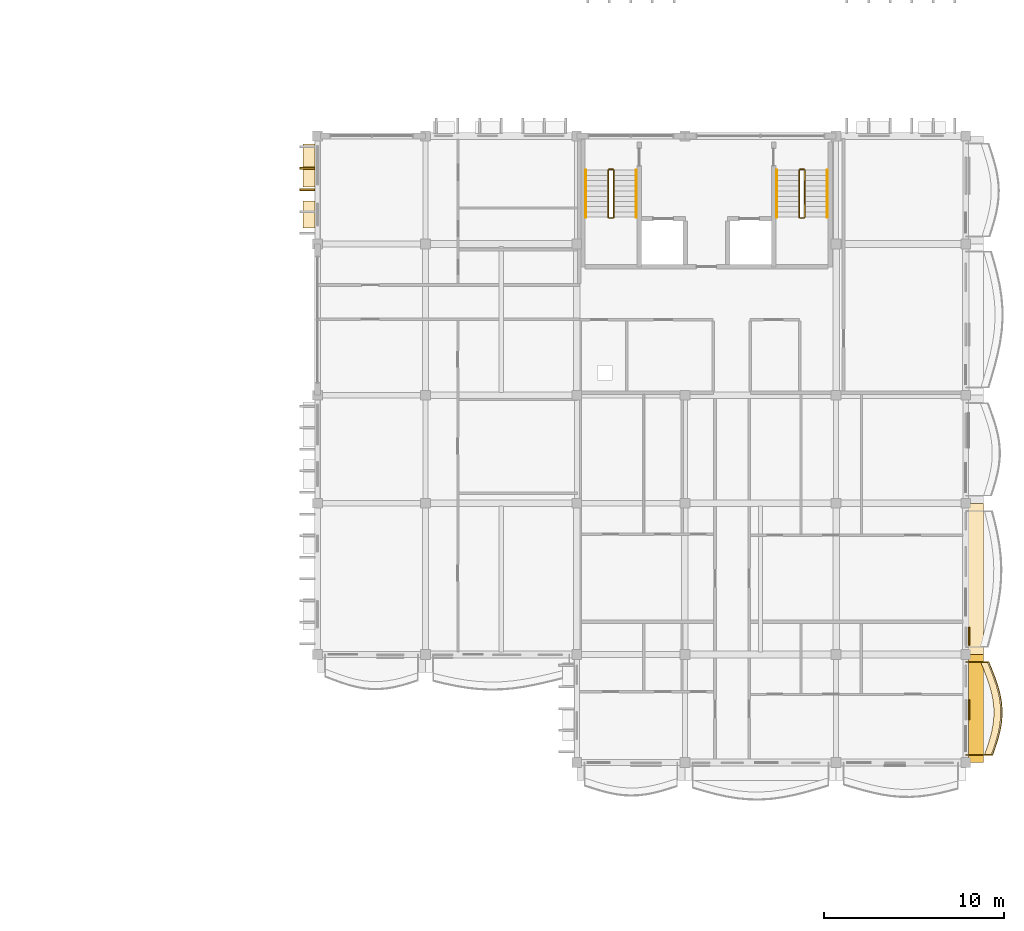
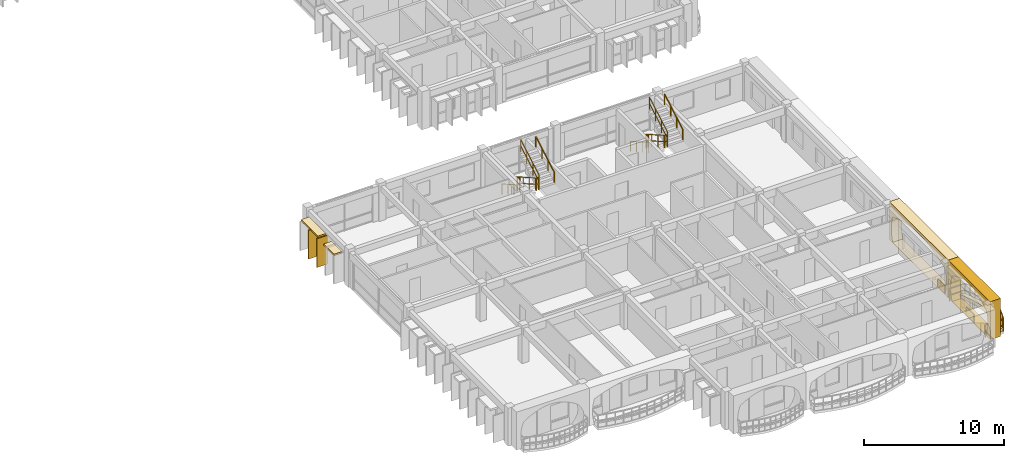
# One storey, part 71 of 79: 13 railings, 9 coverings.
"""IFC4 building model written with IfcOpenShell, lengths in metres."""

from ifc_helpers import new_model, si_unit, direction, frame, origin, origin_2d, place, context, subcontext, project, spatial, polyline, rectangle, outline, extrude, material, layer, layer_set, type_object, element, save


model = new_model("IFC4")

# Units and contexts
model_context = context("Model", 3, precision=1e-05, world=origin(), true_north=direction((0.0, 1.0)))
body_context = subcontext(model_context, "Body", "Model", "MODEL_VIEW")
ifc_project = project(units=[si_unit("LENGTHUNIT", "METRE"), si_unit("AREAUNIT", "SQUARE_METRE"), si_unit("VOLUMEUNIT", "CUBIC_METRE"), si_unit("PLANEANGLEUNIT", "RADIAN"), si_unit("MASSUNIT", "GRAM", prefix="KILO"), si_unit("THERMODYNAMICTEMPERATUREUNIT", "KELVIN")], contexts=[model_context])

# Site, building, storey
site_placement = place(None, origin())
site = spatial("IfcSite", under=ifc_project, at=site_placement, CompositionType="ELEMENT")
building_placement = place(site_placement, origin())
building = spatial("IfcBuilding", under=site, at=building_placement, Name="Thalorik Housing Commons", CompositionType="ELEMENT")
storey_placement = place(building_placement, frame((0.0, 0.0, 11.39990234375)))
storey = spatial("IfcBuildingStorey", under=building, at=storey_placement, Name="L03", CompositionType="ELEMENT", Elevation=11.39990234375)

# Coverings
ifc_material_1 = material(Name="Cobalt blue glazed ceramic facade tile panel", Category="masonry")
ifc_layer_1 = layer(ifc_material_1, 0.06005859375, Name="Cobalt blue glazed ceramic facade tile panel", Category="masonry")
ifc_layer_set_1 = layer_set([ifc_layer_1], Name="Cobalt blue glazed ceramic facade tile panel")
covering_type_1 = type_object("IfcCoveringType", Name="ARC-CLD-BLU-60", PredefinedType="CLADDING", material=ifc_layer_set_1)
covering_1_placement = place(storey_placement, frame((174.179931640625, 40.12744140625, 0.05029296875), z_axis=(0.0, 0.0, 1.0), x_axis=(0.0, 1.0, 0.0)))
element("IfcCovering", 1, at=covering_1_placement, inside=storey, type_object=covering_type_1, Name="L03 De Stijl Recessed Window Spandrel 4741", PredefinedType="CLADDING", context=body_context, shape_type="SweptSolid", body=[
    extrude(rectangle(XDim=1.10009765625, YDim=0.06005859375, at=origin_2d()), origin(), (0.0, 0.0, 1.0), 0.699951171875),
])
ifc_material_2 = material(Name="Precast concrete C40/50", Category="concrete")
ifc_layer_2 = layer(ifc_material_2, 0.85009765625, Name="Precast concrete C40/50", Category="concrete")
ifc_layer_set_2 = layer_set([ifc_layer_2], Name="Precast concrete C40/50")
covering_type_2 = type_object("IfcCoveringType", Name="ARC-CLD-CUSH-850", PredefinedType="CLADDING", material=ifc_layer_set_2)
covering_2_placement = place(storey_placement, frame((174.570068359375, 40.199951171875, 0.0), z_axis=(0.0, 0.0, 1.0), x_axis=(0.0, 1.0, 0.0)))
element("IfcCovering", 2, at=covering_2_placement, inside=storey, type_object=covering_type_2, Name="L03 White Precast Curved Cushion Bay Frame 4740", PredefinedType="CLADDING", context=body_context, shape_type="SweptSolid", body=[
    extrude(outline(polyline([(-3.0, 0.0), (3.0, 0.0), (3.0, 3.300048828125), (-3.0, 3.300048828125), (-3.0, 0.0)]), holes=[polyline([(2.447509765625, 0.02490234375), (2.564208984375, 0.394287109375), (2.634033203125, 0.76318359375), (2.657470703125, 1.132568359375), (2.634033203125, 1.501708984375), (2.564208984375, 1.870849609375), (2.447509765625, 2.239990234375), (2.041015625, 2.4833984375), (1.634521484375, 2.6748046875), (1.22802734375, 2.82958984375), (0.821533203125, 2.94482421875), (0.415283203125, 3.01611328125), (0.0087890625, 3.0400390625), (-0.397705078125, 3.01611328125), (-0.80419921875, 2.94482421875), (-1.210693359375, 2.82958984375), (-1.6171875, 2.6748046875), (-2.0234375, 2.4833984375), (-2.429931640625, 2.239990234375), (-2.55029296875, 1.870849609375), (-2.62255859375, 1.501708984375), (-2.646484375, 1.132568359375), (-2.62255859375, 0.76318359375), (-2.55029296875, 0.394287109375), (-2.429931640625, 0.02490234375), (2.447509765625, 0.02490234375)])]), frame((0.0, 0.425048828125, 0.0), z_axis=(0.0, -1.0, 0.0), x_axis=(1.0, 0.0, 0.0)), (0.0, 0.0, 1.0), 0.85009765625),
])
covering_3_placement = place(storey_placement, frame((174.570068359375, 47.39990234375, 0.0), z_axis=(0.0, 0.0, 1.0), x_axis=(0.0, 1.0, 0.0)))
element("IfcCovering", 3, at=covering_3_placement, inside=storey, type_object=covering_type_2, Name="L03 White Precast Curved Cushion Bay Frame 4742", PredefinedType="CLADDING", context=body_context, shape_type="SweptSolid", body=[
    extrude(outline(polyline([(-4.199951171875, 0.0), (4.199951171875, 0.0), (4.199951171875, 3.300048828125), (-4.199951171875, 3.300048828125), (-4.199951171875, 0.0)]), holes=[polyline([(3.742919921875, 0.02490234375), (3.83935546875, 0.394287109375), (3.897216796875, 0.76318359375), (3.91650390625, 1.132568359375), (3.897216796875, 1.501708984375), (3.83935546875, 1.870849609375), (3.742919921875, 2.239990234375), (3.118896484375, 2.4833984375), (2.494873046875, 2.6748046875), (1.870849609375, 2.82958984375), (1.246826171875, 2.94482421875), (0.622802734375, 3.01611328125), (-0.001220703125, 3.0400390625), (-0.625, 3.01611328125), (-1.2490234375, 2.94482421875), (-1.873046875, 2.82958984375), (-2.4970703125, 2.6748046875), (-3.12109375, 2.4833984375), (-3.7451171875, 2.239990234375), (-3.841064453125, 1.870849609375), (-3.898681640625, 1.501708984375), (-3.91796875, 1.132568359375), (-3.898681640625, 0.76318359375), (-3.841064453125, 0.394287109375), (-3.7451171875, 0.02490234375), (3.742919921875, 0.02490234375)])]), frame((0.0, 0.425048828125, 0.0), z_axis=(0.0, -1.0, 0.0), x_axis=(1.0, 0.0, 0.0)), (0.0, 0.0, 1.0), 0.85009765625),
])
ifc_layer_3 = layer(ifc_material_2, 0.85009765625, Name="Precast concrete C40/50", Category="concrete")
ifc_layer_set_3 = layer_set([ifc_layer_3], Name="Precast concrete C40/50")
covering_type_3 = type_object("IfcCoveringType", Name="ARC-CLD-FIN-850", PredefinedType="CLADDING", material=ifc_layer_set_3)
for number, where, z_axis, x_axis, name in (
    (4, (137.429931640625, 70.199951171875, 0.0400390625), (0.0, 0.0, 1.0), (0.0, -1.0, 0.0), "L03 Courtyard Precast Vertical Brise-Soleil Fin 4701"),
    (5, (137.429931640625, 69.0, 0.0400390625), (0.0, 0.0, 1.0), (0.0, -1.0, 0.0), "L03 Courtyard Precast Vertical Brise-Soleil Fin 4702"),
):
    element("IfcCovering", number, at=place(storey_placement, frame(where, z_axis=z_axis, x_axis=x_axis)), inside=storey, type_object=covering_type_3, Name=name, PredefinedType="CLADDING", context=body_context, shape_type="SweptSolid", body=[
        extrude(rectangle(XDim=0.110107421875, YDim=0.85009765625, at=origin_2d()), origin(), (0.0, 0.0, 1.0), 2.4951171875),
    ])
ifc_layer_4 = layer(ifc_material_2, 0.64990234375, Name="Precast concrete C40/50", Category="concrete")
ifc_layer_set_4 = layer_set([ifc_layer_4], Name="Precast concrete C40/50")
covering_type_4 = type_object("IfcCoveringType", Name="ARC-CLD-HOOD-650", PredefinedType="CLADDING", material=ifc_layer_set_4)
covering_4_placement = place(storey_placement, frame((137.530029296875, 70.3701171875, 2.42529296875), z_axis=(0.0, 0.0, 1.0), x_axis=(0.0, -1.0, 0.0)))
element("IfcCovering", 6, at=covering_4_placement, inside=storey, type_object=covering_type_4, Name="L03 Courtyard Precast Window Sun-Hood 4705", PredefinedType="CLADDING", context=body_context, shape_type="SweptSolid", body=[
    extrude(rectangle(XDim=2.389892578125, YDim=0.64990234375, at=origin_2d()), origin(), (0.0, 0.0, 1.0), 0.139892578125),
])
covering_5_placement = place(storey_placement, frame((137.530029296875, 67.6298828125, 2.240234375), z_axis=(0.0, 0.0, 1.0), x_axis=(0.0, -1.0, 0.0)))
element("IfcCovering", 7, at=covering_5_placement, inside=storey, type_object=covering_type_4, Name="L03 Courtyard Precast Window Sun-Hood 4706", PredefinedType="CLADDING", context=body_context, shape_type="SweptSolid", body=[
    extrude(rectangle(XDim=1.489990234375, YDim=0.64990234375, at=origin_2d()), origin(), (0.0, 0.0, 1.0), 0.139892578125),
])
ifc_material_3 = material(Name="Mineral ochre architectural terracotta panel", Category="masonry")
ifc_layer_5 = layer(ifc_material_3, 0.06494140625, Name="Mineral ochre architectural terracotta panel", Category="masonry")
ifc_layer_set_5 = layer_set([ifc_layer_5], Name="Mineral ochre architectural terracotta panel")
covering_type_5 = type_object("IfcCoveringType", Name="ARC-CLD-YEL-65", PredefinedType="CLADDING", material=ifc_layer_set_5)
covering_6_placement = place(storey_placement, frame((174.1826171875, 44.205078125, 0.05029296875), z_axis=(0.0, 0.0, 1.0), x_axis=(0.0, 1.0, 0.0)))
element("IfcCovering", 8, at=covering_6_placement, inside=storey, type_object=covering_type_5, Name="L03 De Stijl Recessed Window Spandrel 4743", PredefinedType="CLADDING", context=body_context, shape_type="SweptSolid", body=[
    extrude(rectangle(XDim=1.0, YDim=0.06494140625, at=origin_2d()), origin(), (0.0, 0.0, 1.0), 0.699951171875),
])
ifc_material_4 = material(Name="Planted vegetated substrate and terracotta trough", Category="masonry")
ifc_layer_6 = layer(ifc_material_4, 0.340087890625, Name="Planted vegetated substrate and terracotta trough", Category="masonry")
ifc_layer_set_6 = layer_set([ifc_layer_6], Name="Planted vegetated substrate and terracotta trough")
covering_type_6 = type_object("IfcCoveringType", Name="ARC-COV-PLANTER", PredefinedType="USERDEFINED", material=ifc_layer_set_6)
covering_7_placement = place(storey_placement, origin())
element("IfcCovering", 9, at=covering_7_placement, inside=storey, type_object=covering_type_6, Name="L03 Balcony Slab-Edge Planted Trough 5655", ObjectType="PLANTER", PredefinedType="USERDEFINED", context=body_context, shape_type="SweptSolid", body=[
    extrude(outline(polyline([(175.416015625, 37.6201171875), (175.568359375, 38.050048828125), (175.705810546875, 38.47998046875), (175.819091796875, 38.909912109375), (175.89990234375, 39.340087890625), (175.94189453125, 39.77001953125), (175.94189453125, 40.199951171875), (175.89892578125, 40.6298828125), (175.8154296875, 41.06005859375), (175.696533203125, 41.489990234375), (175.549072265625, 41.919921875), (175.3828125, 42.35009765625), (175.20849609375, 42.780029296875), (174.82861328125, 42.780029296875), (175.0029296875, 42.35009765625), (175.169189453125, 41.919921875), (175.31640625, 41.489990234375), (175.435546875, 41.06005859375), (175.51904296875, 40.6298828125), (175.561767578125, 40.199951171875), (175.561767578125, 39.77001953125), (175.519775390625, 39.340087890625), (175.439208984375, 38.909912109375), (175.325927734375, 38.47998046875), (175.188232421875, 38.050048828125), (175.035888671875, 37.6201171875), (175.416015625, 37.6201171875)])), origin(), (0.0, 0.0, 1.0), 0.340087890625),
])

# Railings
ifc_material_5 = material(Name="Steel S355", Category="steel")
railing_type_1 = type_object("IfcRailingType", Name="ARC-RL-BAL-115", PredefinedType="BALUSTRADE", material=ifc_material_5)
railing_1_placement = place(storey_placement, frame((174.0, 37.6201171875, 0.0)))
element("IfcRailing", 10, at=railing_1_placement, inside=storey, type_object=railing_type_1, Name="L03 Cushion Balcony Guardrail 339", PredefinedType="BALUSTRADE", context=body_context, shape_type="SweptSolid", body=[
    extrude(rectangle(XDim=0.050048828125, YDim=0.050048828125, at=origin_2d()), frame((0.0, 0.0, 1.125), z_axis=(1.0, 0.0, 0.0), x_axis=(0.0, 1.0, 0.0)), (0.0, 0.0, 1.0), 1.486083984375),
    extrude(rectangle(XDim=0.050048828125, YDim=0.050048828125, at=origin_2d()), frame((0.0, 0.0, 0.5498046875), z_axis=(1.0, 0.0, 0.0), x_axis=(0.0, 1.0, 0.0)), (0.0, 0.0, 1.0), 1.486083984375),
    extrude(rectangle(XDim=0.050048828125, YDim=0.050048828125, at=origin_2d()), frame((1.486083984375, 0.0, 1.125), z_axis=(0.333520092889, 0.942742991297, 0.0), x_axis=(-0.942742991297, 0.333520092889, 0.0)), (0.0, 0.0, 1.0), 0.4560546875),
    extrude(rectangle(XDim=0.050048828125, YDim=0.050048828125, at=origin_2d()), frame((1.486083984375, 0.0, 0.5498046875), z_axis=(0.333520092889, 0.942742991297, 0.0), x_axis=(-0.942742991297, 0.333520092889, 0.0)), (0.0, 0.0, 1.0), 0.4560546875),
    extrude(rectangle(XDim=0.050048828125, YDim=0.050048828125, at=origin_2d()), frame((1.63818359375, 0.429931640625, 1.125), z_axis=(0.305011189479, 0.95234876715, 0.0), x_axis=(-0.95234876715, 0.305011189479, 0.0)), (0.0, 0.0, 1.0), 0.451416015625),
    extrude(rectangle(XDim=0.050048828125, YDim=0.050048828125, at=origin_2d()), frame((1.63818359375, 0.429931640625, 0.5498046875), z_axis=(0.305011189479, 0.95234876715, 0.0), x_axis=(-0.95234876715, 0.305011189479, 0.0)), (0.0, 0.0, 1.0), 0.451416015625),
    extrude(rectangle(XDim=0.050048828125, YDim=0.050048828125, at=origin_2d()), frame((1.77587890625, 0.85986328125, 1.125), z_axis=(0.254790607451, 0.9669962494, 0.0), x_axis=(-0.9669962494, 0.254790607451, 0.0)), (0.0, 0.0, 1.0), 0.444580078125),
    extrude(rectangle(XDim=0.050048828125, YDim=0.050048828125, at=origin_2d()), frame((1.77587890625, 0.85986328125, 0.5498046875), z_axis=(0.254790607451, 0.9669962494, 0.0), x_axis=(-0.9669962494, 0.254790607451, 0.0)), (0.0, 0.0, 1.0), 0.444580078125),
    extrude(rectangle(XDim=0.050048828125, YDim=0.050048828125, at=origin_2d()), frame((1.88916015625, 1.289794921875, 1.125), z_axis=(0.184086446548, 0.982910057023, 0.0), x_axis=(-0.982910057023, 0.184086446548, 0.0)), (0.0, 0.0, 1.0), 0.437744140625),
    extrude(rectangle(XDim=0.050048828125, YDim=0.050048828125, at=origin_2d()), frame((1.88916015625, 1.289794921875, 0.5498046875), z_axis=(0.184086446548, 0.982910057023, 0.0), x_axis=(-0.982910057023, 0.184086446548, 0.0)), (0.0, 0.0, 1.0), 0.437744140625),
    extrude(rectangle(XDim=0.050048828125, YDim=0.050048828125, at=origin_2d()), frame((1.9697265625, 1.719970703125, 1.125), z_axis=(0.097209200993, 0.995263970634, 0.0), x_axis=(-0.995263970634, 0.097209200993, 0.0)), (0.0, 0.0, 1.0), 0.431884765625),
    extrude(rectangle(XDim=0.050048828125, YDim=0.050048828125, at=origin_2d()), frame((1.9697265625, 1.719970703125, 0.5498046875), z_axis=(0.097209200993, 0.995263970634, 0.0), x_axis=(-0.995263970634, 0.097209200993, 0.0)), (0.0, 0.0, 1.0), 0.431884765625),
    extrude(rectangle(XDim=0.050048828125, YDim=0.050048828125, at=origin_2d()), frame((2.01171875, 2.14990234375, 1.125), z_axis=(0.0, 1.0, 0.0), x_axis=(-1.0, 0.0, 0.0)), (0.0, 0.0, 1.0), 0.429931640625),
    extrude(rectangle(XDim=0.050048828125, YDim=0.050048828125, at=origin_2d()), frame((2.01171875, 2.14990234375, 0.5498046875), z_axis=(0.0, 1.0, 0.0), x_axis=(-1.0, 0.0, 0.0)), (0.0, 0.0, 1.0), 0.429931640625),
    extrude(rectangle(XDim=0.050048828125, YDim=0.050048828125, at=origin_2d()), frame((2.01171875, 2.579833984375, 1.125), z_axis=(-0.098888270863, 0.995098542801, 0.0), x_axis=(-0.995098542801, -0.098888270863, 0.0)), (0.0, 0.0, 1.0), 0.43212890625),
    extrude(rectangle(XDim=0.050048828125, YDim=0.050048828125, at=origin_2d()), frame((2.01171875, 2.579833984375, 0.5498046875), z_axis=(-0.098888270863, 0.995098542801, 0.0), x_axis=(-0.995098542801, -0.098888270863, 0.0)), (0.0, 0.0, 1.0), 0.43212890625),
    extrude(rectangle(XDim=0.050048828125, YDim=0.050048828125, at=origin_2d()), frame((1.968994140625, 3.009765625, 1.125), z_axis=(-0.190541578419, 0.981679126239, 0.0), x_axis=(-0.981679126239, -0.190541578419, 0.0)), (0.0, 0.0, 1.0), 0.438232421875),
    extrude(rectangle(XDim=0.050048828125, YDim=0.050048828125, at=origin_2d()), frame((1.968994140625, 3.009765625, 0.5498046875), z_axis=(-0.190541578419, 0.981679126239, 0.0), x_axis=(-0.981679126239, -0.190541578419, 0.0)), (0.0, 0.0, 1.0), 0.438232421875),
    extrude(rectangle(XDim=0.050048828125, YDim=0.050048828125, at=origin_2d()), frame((1.885498046875, 3.43994140625, 1.125), z_axis=(-0.266542784561, 0.9638230875, 0.0), x_axis=(-0.9638230875, -0.266542784561, 0.0)), (0.0, 0.0, 1.0), 0.446044921875),
    extrude(rectangle(XDim=0.050048828125, YDim=0.050048828125, at=origin_2d()), frame((1.885498046875, 3.43994140625, 0.5498046875), z_axis=(-0.266542784561, 0.9638230875, 0.0), x_axis=(-0.9638230875, -0.266542784561, 0.0)), (0.0, 0.0, 1.0), 0.446044921875),
    extrude(rectangle(XDim=0.050048828125, YDim=0.050048828125, at=origin_2d()), frame((1.7666015625, 3.869873046875, 1.125), z_axis=(-0.324434183315, 0.945908272877, 0.0), x_axis=(-0.945908272877, -0.324434183315, 0.0)), (0.0, 0.0, 1.0), 0.45458984375),
    extrude(rectangle(XDim=0.050048828125, YDim=0.050048828125, at=origin_2d()), frame((1.7666015625, 3.869873046875, 0.5498046875), z_axis=(-0.324434183315, 0.945908272877, 0.0), x_axis=(-0.945908272877, -0.324434183315, 0.0)), (0.0, 0.0, 1.0), 0.45458984375),
    extrude(rectangle(XDim=0.050048828125, YDim=0.050048828125, at=origin_2d()), frame((1.619140625, 4.2998046875, 1.125), z_axis=(-0.360503962206, 0.932757681948, 0.0), x_axis=(-0.932757681948, -0.360503962206, 0.0)), (0.0, 0.0, 1.0), 0.461181640625),
    extrude(rectangle(XDim=0.050048828125, YDim=0.050048828125, at=origin_2d()), frame((1.619140625, 4.2998046875, 0.5498046875), z_axis=(-0.360503962206, 0.932757681948, 0.0), x_axis=(-0.932757681948, -0.360503962206, 0.0)), (0.0, 0.0, 1.0), 0.461181640625),
    extrude(rectangle(XDim=0.050048828125, YDim=0.050048828125, at=origin_2d()), frame((1.452880859375, 4.72998046875, 1.125), z_axis=(-0.375741754389, 0.926724411035, 0.0), x_axis=(-0.926724411035, -0.375741754389, 0.0)), (0.0, 0.0, 1.0), 0.4638671875),
    extrude(rectangle(XDim=0.050048828125, YDim=0.050048828125, at=origin_2d()), frame((1.452880859375, 4.72998046875, 0.5498046875), z_axis=(-0.375741754389, 0.926724411035, 0.0), x_axis=(-0.926724411035, -0.375741754389, 0.0)), (0.0, 0.0, 1.0), 0.4638671875),
    extrude(rectangle(XDim=0.050048828125, YDim=0.050048828125, at=origin_2d()), frame((1.278564453125, 5.159912109375, 1.125), z_axis=(-1.0, 0.0, 0.0), x_axis=(0.0, -1.0, 0.0)), (0.0, 0.0, 1.0), 1.278564453125),
    extrude(rectangle(XDim=0.050048828125, YDim=0.050048828125, at=origin_2d()), frame((1.278564453125, 5.159912109375, 0.5498046875), z_axis=(-1.0, 0.0, 0.0), x_axis=(0.0, -1.0, 0.0)), (0.0, 0.0, 1.0), 1.278564453125),
    extrude(rectangle(XDim=0.0419921875, YDim=0.0419921875, at=origin_2d()), origin(), (0.0, 0.0, 1.0), 1.099853515625),
    extrude(rectangle(XDim=0.0419921875, YDim=0.0419921875, at=origin_2d()), frame((1.486083984375, 0.0, 0.0)), (0.0, 0.0, 1.0), 1.099853515625),
    extrude(rectangle(XDim=0.0419921875, YDim=0.0419921875, at=origin_2d()), frame((1.63818359375, 0.429931640625, 0.0)), (0.0, 0.0, 1.0), 1.099853515625),
    extrude(rectangle(XDim=0.0419921875, YDim=0.0419921875, at=origin_2d()), frame((1.77587890625, 0.85986328125, 0.0)), (0.0, 0.0, 1.0), 1.099853515625),
    extrude(rectangle(XDim=0.0419921875, YDim=0.0419921875, at=origin_2d()), frame((1.88916015625, 1.289794921875, 0.0)), (0.0, 0.0, 1.0), 1.099853515625),
    extrude(rectangle(XDim=0.0419921875, YDim=0.0419921875, at=origin_2d()), frame((1.9697265625, 1.719970703125, 0.0)), (0.0, 0.0, 1.0), 1.099853515625),
    extrude(rectangle(XDim=0.0419921875, YDim=0.0419921875, at=origin_2d()), frame((2.01171875, 2.14990234375, 0.0)), (0.0, 0.0, 1.0), 1.099853515625),
    extrude(rectangle(XDim=0.0419921875, YDim=0.0419921875, at=origin_2d()), frame((2.01171875, 2.579833984375, 0.0)), (0.0, 0.0, 1.0), 1.099853515625),
    extrude(rectangle(XDim=0.0419921875, YDim=0.0419921875, at=origin_2d()), frame((1.968994140625, 3.009765625, 0.0)), (0.0, 0.0, 1.0), 1.099853515625),
    extrude(rectangle(XDim=0.0419921875, YDim=0.0419921875, at=origin_2d()), frame((1.885498046875, 3.43994140625, 0.0)), (0.0, 0.0, 1.0), 1.099853515625),
    extrude(rectangle(XDim=0.0419921875, YDim=0.0419921875, at=origin_2d()), frame((1.7666015625, 3.869873046875, 0.0)), (0.0, 0.0, 1.0), 1.099853515625),
    extrude(rectangle(XDim=0.0419921875, YDim=0.0419921875, at=origin_2d()), frame((1.619140625, 4.2998046875, 0.0)), (0.0, 0.0, 1.0), 1.099853515625),
    extrude(rectangle(XDim=0.0419921875, YDim=0.0419921875, at=origin_2d()), frame((1.452880859375, 4.72998046875, 0.0)), (0.0, 0.0, 1.0), 1.099853515625),
    extrude(rectangle(XDim=0.0419921875, YDim=0.0419921875, at=origin_2d()), frame((1.278564453125, 5.159912109375, 0.0)), (0.0, 0.0, 1.0), 1.099853515625),
    extrude(rectangle(XDim=0.0419921875, YDim=0.0419921875, at=origin_2d()), frame((0.0, 5.159912109375, 0.0)), (0.0, 0.0, 1.0), 1.099853515625),
])
railing_type_2 = type_object("IfcRailingType", Name="ARC-RL-STR-GRD110", PredefinedType="GUARDRAIL", material=ifc_material_5)
railing_2_placement = place(storey_placement, frame((154.14990234375, 70.10009765625, 0.1650390625)))
element("IfcRailing", 11, at=railing_2_placement, inside=storey, type_object=railing_type_2, Name="L03 ST-D1 stair guard 1", PredefinedType="GUARDRAIL", context=body_context, shape_type="SweptSolid", body=[
    extrude(rectangle(XDim=0.048095703125, YDim=0.048095703125, at=origin_2d()), frame((0.0, 0.0, 1.076171875), z_axis=(0.0, -0.869157204687, 0.49453589712), x_axis=(1.0, 0.0, 0.0)), (0.0, 0.0, 1.0), 3.0029296875),
    extrude(rectangle(XDim=0.048095703125, YDim=0.048095703125, at=origin_2d()), frame((0.0, 0.0, 0.52587890625), z_axis=(0.0, -0.869157204687, 0.49453589712), x_axis=(1.0, 0.0, 0.0)), (0.0, 0.0, 1.0), 3.0029296875),
    extrude(rectangle(XDim=0.0419921875, YDim=0.0419921875, at=origin_2d()), origin(), (0.0, 0.0, 1.0), 1.052001953125),
    extrude(rectangle(XDim=0.0419921875, YDim=0.0419921875, at=origin_2d()), frame((0.0, -0.8701171875, 0.4951171875)), (0.0, 0.0, 1.0), 1.052001953125),
    extrude(rectangle(XDim=0.0419921875, YDim=0.0419921875, at=origin_2d()), frame((0.0, -1.739990234375, 0.989990234375)), (0.0, 0.0, 1.0), 1.052001953125),
    extrude(rectangle(XDim=0.0419921875, YDim=0.0419921875, at=origin_2d()), frame((0.0, -2.610107421875, 1.485107421875)), (0.0, 0.0, 1.0), 1.052001953125),
])
railing_3_placement = place(storey_placement, frame((154.199951171875, 67.43994140625, 1.650146484375)))
element("IfcRailing", 12, at=railing_3_placement, inside=storey, type_object=railing_type_2, Name="L03 ST-D1 stair guard 2", PredefinedType="GUARDRAIL", context=body_context, shape_type="SweptSolid", body=[
    extrude(rectangle(XDim=0.048095703125, YDim=0.048095703125, at=origin_2d()), frame((0.0, 0.0, 1.076171875), z_axis=(1.0, 0.0, 0.0), x_axis=(0.0, 1.0, 0.0)), (0.0, 0.0, 1.0), 0.199951171875),
    extrude(rectangle(XDim=0.048095703125, YDim=0.048095703125, at=origin_2d()), frame((0.0, 0.0, 0.52587890625), z_axis=(1.0, 0.0, 0.0), x_axis=(0.0, 1.0, 0.0)), (0.0, 0.0, 1.0), 0.199951171875),
    extrude(rectangle(XDim=0.0419921875, YDim=0.0419921875, at=origin_2d()), origin(), (0.0, 0.0, 1.0), 1.052001953125),
    extrude(rectangle(XDim=0.0419921875, YDim=0.0419921875, at=origin_2d()), frame((0.199951171875, 0.0, 0.0)), (0.0, 0.0, 1.0), 1.052001953125),
])
railing_4_placement = place(storey_placement, frame((154.449951171875, 67.489990234375, 1.815185546875)))
element("IfcRailing", 13, at=railing_4_placement, inside=storey, type_object=railing_type_2, Name="L03 ST-D1 stair guard 3", PredefinedType="GUARDRAIL", context=body_context, shape_type="SweptSolid", body=[
    extrude(rectangle(XDim=0.048095703125, YDim=0.048095703125, at=origin_2d()), frame((0.0, 0.0, 1.076171875), z_axis=(0.0, 0.869192148207, 0.494474478103), x_axis=(-1.0, 0.0, 0.0)), (0.0, 0.0, 1.0), 3.0029296875),
    extrude(rectangle(XDim=0.048095703125, YDim=0.048095703125, at=origin_2d()), frame((0.0, 0.0, 0.52587890625), z_axis=(0.0, 0.869192148207, 0.494474478103), x_axis=(-1.0, 0.0, 0.0)), (0.0, 0.0, 1.0), 3.0029296875),
    extrude(rectangle(XDim=0.0419921875, YDim=0.0419921875, at=origin_2d()), origin(), (0.0, 0.0, 1.0), 1.052001953125),
    extrude(rectangle(XDim=0.0419921875, YDim=0.0419921875, at=origin_2d()), frame((0.0, 0.8701171875, 0.494873046875)), (0.0, 0.0, 1.0), 1.052001953125),
    extrude(rectangle(XDim=0.0419921875, YDim=0.0419921875, at=origin_2d()), frame((0.0, 1.739990234375, 0.989990234375)), (0.0, 0.0, 1.0), 1.052001953125),
    extrude(rectangle(XDim=0.0419921875, YDim=0.0419921875, at=origin_2d()), frame((0.0, 2.610107421875, 1.48486328125)), (0.0, 0.0, 1.0), 1.052001953125),
])
railing_5_placement = place(storey_placement, frame((154.199951171875, 70.14990234375, 0.0)))
element("IfcRailing", 14, at=railing_5_placement, inside=storey, type_object=railing_type_2, Name="L03 ST-D1 stair guard 4", PredefinedType="GUARDRAIL", context=body_context, shape_type="SweptSolid", body=[
    extrude(rectangle(XDim=0.048095703125, YDim=0.048095703125, at=origin_2d()), frame((0.0, 0.0, 1.076171875), z_axis=(1.0, 0.0, 0.0), x_axis=(0.0, 1.0, 0.0)), (0.0, 0.0, 1.0), 0.199951171875),
    extrude(rectangle(XDim=0.048095703125, YDim=0.048095703125, at=origin_2d()), frame((0.0, 0.0, 0.52587890625), z_axis=(1.0, 0.0, 0.0), x_axis=(0.0, 1.0, 0.0)), (0.0, 0.0, 1.0), 0.199951171875),
    extrude(rectangle(XDim=0.0419921875, YDim=0.0419921875, at=origin_2d()), origin(), (0.0, 0.0, 1.0), 1.052001953125),
    extrude(rectangle(XDim=0.0419921875, YDim=0.0419921875, at=origin_2d()), frame((0.199951171875, 0.0, 0.0)), (0.0, 0.0, 1.0), 1.052001953125),
])
railing_6_placement = place(storey_placement, frame((164.75, 70.10009765625, 0.1650390625)))
element("IfcRailing", 15, at=railing_6_placement, inside=storey, type_object=railing_type_2, Name="L03 ST-D2 stair guard 1", PredefinedType="GUARDRAIL", context=body_context, shape_type="SweptSolid", body=[
    extrude(rectangle(XDim=0.048095703125, YDim=0.048095703125, at=origin_2d()), frame((0.0, 0.0, 1.076171875), z_axis=(0.0, -0.869157204687, 0.49453589712), x_axis=(1.0, 0.0, 0.0)), (0.0, 0.0, 1.0), 3.0029296875),
    extrude(rectangle(XDim=0.048095703125, YDim=0.048095703125, at=origin_2d()), frame((0.0, 0.0, 0.52587890625), z_axis=(0.0, -0.869157204687, 0.49453589712), x_axis=(1.0, 0.0, 0.0)), (0.0, 0.0, 1.0), 3.0029296875),
    extrude(rectangle(XDim=0.0419921875, YDim=0.0419921875, at=origin_2d()), origin(), (0.0, 0.0, 1.0), 1.052001953125),
    extrude(rectangle(XDim=0.0419921875, YDim=0.0419921875, at=origin_2d()), frame((0.0, -0.8701171875, 0.4951171875)), (0.0, 0.0, 1.0), 1.052001953125),
    extrude(rectangle(XDim=0.0419921875, YDim=0.0419921875, at=origin_2d()), frame((0.0, -1.739990234375, 0.989990234375)), (0.0, 0.0, 1.0), 1.052001953125),
    extrude(rectangle(XDim=0.0419921875, YDim=0.0419921875, at=origin_2d()), frame((0.0, -2.610107421875, 1.485107421875)), (0.0, 0.0, 1.0), 1.052001953125),
])
railing_7_placement = place(storey_placement, frame((164.800048828125, 67.43994140625, 1.650146484375)))
element("IfcRailing", 16, at=railing_7_placement, inside=storey, type_object=railing_type_2, Name="L03 ST-D2 stair guard 2", PredefinedType="GUARDRAIL", context=body_context, shape_type="SweptSolid", body=[
    extrude(rectangle(XDim=0.048095703125, YDim=0.048095703125, at=origin_2d()), frame((0.0, 0.0, 1.076171875), z_axis=(1.0, 0.0, 0.0), x_axis=(0.0, 1.0, 0.0)), (0.0, 0.0, 1.0), 0.199951171875),
    extrude(rectangle(XDim=0.048095703125, YDim=0.048095703125, at=origin_2d()), frame((0.0, 0.0, 0.52587890625), z_axis=(1.0, 0.0, 0.0), x_axis=(0.0, 1.0, 0.0)), (0.0, 0.0, 1.0), 0.199951171875),
    extrude(rectangle(XDim=0.0419921875, YDim=0.0419921875, at=origin_2d()), origin(), (0.0, 0.0, 1.0), 1.052001953125),
    extrude(rectangle(XDim=0.0419921875, YDim=0.0419921875, at=origin_2d()), frame((0.199951171875, 0.0, 0.0)), (0.0, 0.0, 1.0), 1.052001953125),
])
railing_8_placement = place(storey_placement, frame((165.050048828125, 67.489990234375, 1.815185546875)))
element("IfcRailing", 17, at=railing_8_placement, inside=storey, type_object=railing_type_2, Name="L03 ST-D2 stair guard 3", PredefinedType="GUARDRAIL", context=body_context, shape_type="SweptSolid", body=[
    extrude(rectangle(XDim=0.048095703125, YDim=0.048095703125, at=origin_2d()), frame((0.0, 0.0, 1.076171875), z_axis=(0.0, 0.869192148207, 0.494474478103), x_axis=(-1.0, 0.0, 0.0)), (0.0, 0.0, 1.0), 3.0029296875),
    extrude(rectangle(XDim=0.048095703125, YDim=0.048095703125, at=origin_2d()), frame((0.0, 0.0, 0.52587890625), z_axis=(0.0, 0.869192148207, 0.494474478103), x_axis=(-1.0, 0.0, 0.0)), (0.0, 0.0, 1.0), 3.0029296875),
    extrude(rectangle(XDim=0.0419921875, YDim=0.0419921875, at=origin_2d()), origin(), (0.0, 0.0, 1.0), 1.052001953125),
    extrude(rectangle(XDim=0.0419921875, YDim=0.0419921875, at=origin_2d()), frame((0.0, 0.8701171875, 0.494873046875)), (0.0, 0.0, 1.0), 1.052001953125),
    extrude(rectangle(XDim=0.0419921875, YDim=0.0419921875, at=origin_2d()), frame((0.0, 1.739990234375, 0.989990234375)), (0.0, 0.0, 1.0), 1.052001953125),
    extrude(rectangle(XDim=0.0419921875, YDim=0.0419921875, at=origin_2d()), frame((0.0, 2.610107421875, 1.48486328125)), (0.0, 0.0, 1.0), 1.052001953125),
])
railing_9_placement = place(storey_placement, frame((164.800048828125, 70.14990234375, 0.0)))
element("IfcRailing", 18, at=railing_9_placement, inside=storey, type_object=railing_type_2, Name="L03 ST-D2 stair guard 4", PredefinedType="GUARDRAIL", context=body_context, shape_type="SweptSolid", body=[
    extrude(rectangle(XDim=0.048095703125, YDim=0.048095703125, at=origin_2d()), frame((0.0, 0.0, 1.076171875), z_axis=(1.0, 0.0, 0.0), x_axis=(0.0, 1.0, 0.0)), (0.0, 0.0, 1.0), 0.199951171875),
    extrude(rectangle(XDim=0.048095703125, YDim=0.048095703125, at=origin_2d()), frame((0.0, 0.0, 0.52587890625), z_axis=(1.0, 0.0, 0.0), x_axis=(0.0, 1.0, 0.0)), (0.0, 0.0, 1.0), 0.199951171875),
    extrude(rectangle(XDim=0.0419921875, YDim=0.0419921875, at=origin_2d()), origin(), (0.0, 0.0, 1.0), 1.052001953125),
    extrude(rectangle(XDim=0.0419921875, YDim=0.0419921875, at=origin_2d()), frame((0.199951171875, 0.0, 0.0)), (0.0, 0.0, 1.0), 1.052001953125),
])
railing_type_3 = type_object("IfcRailingType", Name="ARC-RL-STR-HR092", PredefinedType="HANDRAIL", material=ifc_material_5)
railing_10_placement = place(storey_placement, frame((152.89990234375, 70.10009765625, 0.1650390625)))
element("IfcRailing", 19, at=railing_10_placement, inside=storey, type_object=railing_type_3, Name="L03 ST-D1 stair handrail 1", PredefinedType="HANDRAIL", context=body_context, shape_type="SweptSolid", body=[
    extrude(rectangle(XDim=0.048095703125, YDim=0.048095703125, at=origin_2d()), frame((0.0, 0.0, 0.89599609375), z_axis=(0.0, -0.869157204687, 0.49453589712), x_axis=(1.0, 0.0, 0.0)), (0.0, 0.0, 1.0), 3.0029296875),
    extrude(rectangle(XDim=0.0419921875, YDim=0.0419921875, at=origin_2d()), origin(), (0.0, 0.0, 1.0), 0.871826171875),
    extrude(rectangle(XDim=0.0419921875, YDim=0.0419921875, at=origin_2d()), frame((0.0, -0.8701171875, 0.4951171875)), (0.0, 0.0, 1.0), 0.871826171875),
    extrude(rectangle(XDim=0.0419921875, YDim=0.0419921875, at=origin_2d()), frame((0.0, -1.739990234375, 0.989990234375)), (0.0, 0.0, 1.0), 0.871826171875),
    extrude(rectangle(XDim=0.0419921875, YDim=0.0419921875, at=origin_2d()), frame((0.0, -2.610107421875, 1.485107421875)), (0.0, 0.0, 1.0), 0.871826171875),
])
railing_11_placement = place(storey_placement, frame((155.699951171875, 67.489990234375, 1.815185546875)))
element("IfcRailing", 20, at=railing_11_placement, inside=storey, type_object=railing_type_3, Name="L03 ST-D1 stair handrail 2", PredefinedType="HANDRAIL", context=body_context, shape_type="SweptSolid", body=[
    extrude(rectangle(XDim=0.048095703125, YDim=0.048095703125, at=origin_2d()), frame((0.0, 0.0, 0.89599609375), z_axis=(0.0, 0.869192148207, 0.494474478103), x_axis=(-1.0, 0.0, 0.0)), (0.0, 0.0, 1.0), 3.0029296875),
    extrude(rectangle(XDim=0.0419921875, YDim=0.0419921875, at=origin_2d()), origin(), (0.0, 0.0, 1.0), 0.871826171875),
    extrude(rectangle(XDim=0.0419921875, YDim=0.0419921875, at=origin_2d()), frame((0.0, 0.8701171875, 0.494873046875)), (0.0, 0.0, 1.0), 0.871826171875),
    extrude(rectangle(XDim=0.0419921875, YDim=0.0419921875, at=origin_2d()), frame((0.0, 1.739990234375, 0.989990234375)), (0.0, 0.0, 1.0), 0.871826171875),
    extrude(rectangle(XDim=0.0419921875, YDim=0.0419921875, at=origin_2d()), frame((0.0, 2.610107421875, 1.48486328125)), (0.0, 0.0, 1.0), 0.871826171875),
])
railing_12_placement = place(storey_placement, frame((163.5, 70.10009765625, 0.1650390625)))
element("IfcRailing", 21, at=railing_12_placement, inside=storey, type_object=railing_type_3, Name="L03 ST-D2 stair handrail 1", PredefinedType="HANDRAIL", context=body_context, shape_type="SweptSolid", body=[
    extrude(rectangle(XDim=0.048095703125, YDim=0.048095703125, at=origin_2d()), frame((0.0, 0.0, 0.89599609375), z_axis=(0.0, -0.869157204687, 0.49453589712), x_axis=(1.0, 0.0, 0.0)), (0.0, 0.0, 1.0), 3.0029296875),
    extrude(rectangle(XDim=0.0419921875, YDim=0.0419921875, at=origin_2d()), origin(), (0.0, 0.0, 1.0), 0.871826171875),
    extrude(rectangle(XDim=0.0419921875, YDim=0.0419921875, at=origin_2d()), frame((0.0, -0.8701171875, 0.4951171875)), (0.0, 0.0, 1.0), 0.871826171875),
    extrude(rectangle(XDim=0.0419921875, YDim=0.0419921875, at=origin_2d()), frame((0.0, -1.739990234375, 0.989990234375)), (0.0, 0.0, 1.0), 0.871826171875),
    extrude(rectangle(XDim=0.0419921875, YDim=0.0419921875, at=origin_2d()), frame((0.0, -2.610107421875, 1.485107421875)), (0.0, 0.0, 1.0), 0.871826171875),
])
railing_13_placement = place(storey_placement, frame((166.300048828125, 67.489990234375, 1.815185546875)))
element("IfcRailing", 22, at=railing_13_placement, inside=storey, type_object=railing_type_3, Name="L03 ST-D2 stair handrail 2", PredefinedType="HANDRAIL", context=body_context, shape_type="SweptSolid", body=[
    extrude(rectangle(XDim=0.048095703125, YDim=0.048095703125, at=origin_2d()), frame((0.0, 0.0, 0.89599609375), z_axis=(0.0, 0.869192148207, 0.494474478103), x_axis=(-1.0, 0.0, 0.0)), (0.0, 0.0, 1.0), 3.0029296875),
    extrude(rectangle(XDim=0.0419921875, YDim=0.0419921875, at=origin_2d()), origin(), (0.0, 0.0, 1.0), 0.871826171875),
    extrude(rectangle(XDim=0.0419921875, YDim=0.0419921875, at=origin_2d()), frame((0.0, 0.8701171875, 0.494873046875)), (0.0, 0.0, 1.0), 0.871826171875),
    extrude(rectangle(XDim=0.0419921875, YDim=0.0419921875, at=origin_2d()), frame((0.0, 1.739990234375, 0.989990234375)), (0.0, 0.0, 1.0), 0.871826171875),
    extrude(rectangle(XDim=0.0419921875, YDim=0.0419921875, at=origin_2d()), frame((0.0, 2.610107421875, 1.48486328125)), (0.0, 0.0, 1.0), 0.871826171875),
])

save(model, "model.ifc")
